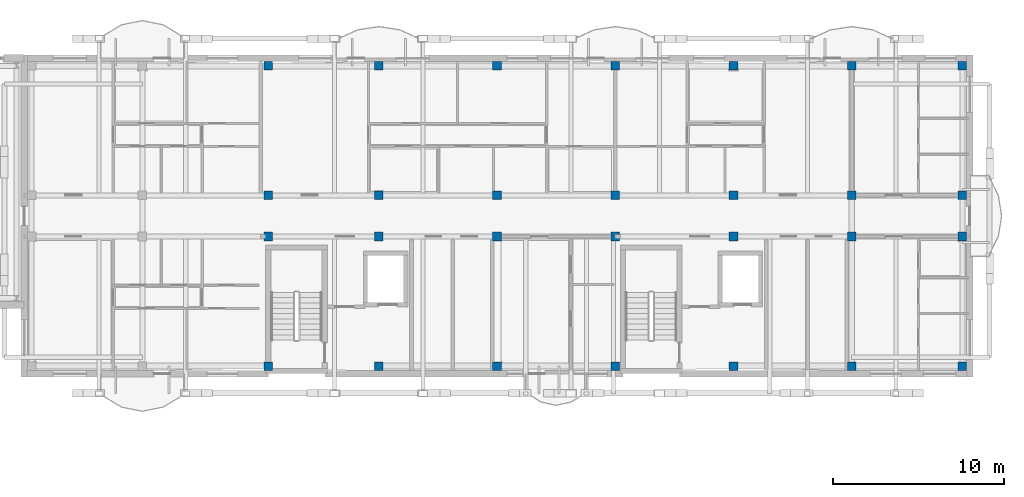
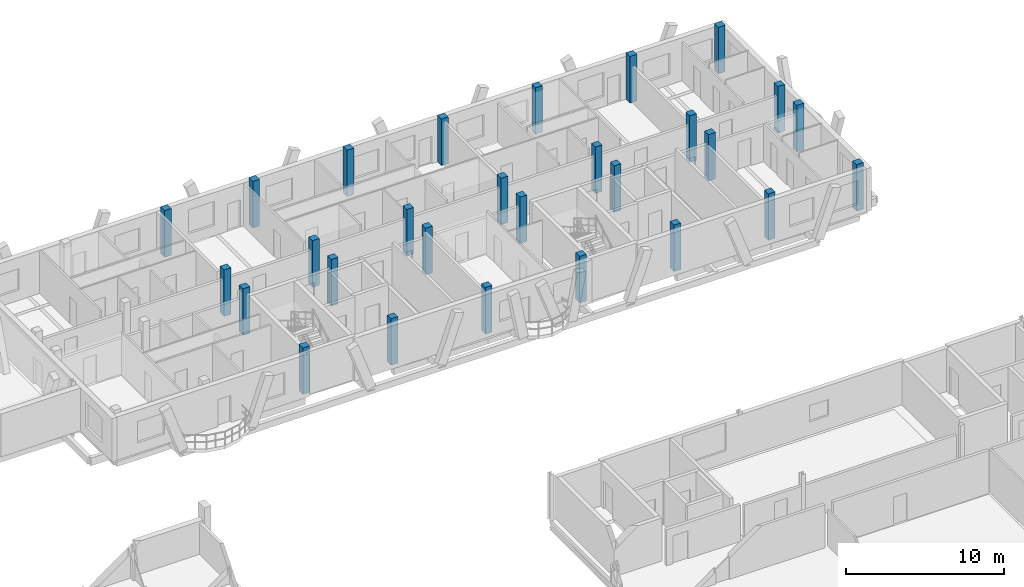
# One storey, part 15 of 189: 28 columns.
"""IFC4 building model written with IfcOpenShell, lengths in metres."""

from ifc_helpers import new_model, si_unit, direction, frame, origin, origin_2d, place, context, subcontext, project, spatial, rectangle, extrude, material, material_profile, profile_set, type_object, element, save


model = new_model("IFC4")

# Units and contexts
model_context = context("Model", 3, precision=1e-05, world=origin(), true_north=direction((0.0, 1.0)))
body_context = subcontext(model_context, "Body", "Model", "MODEL_VIEW")
ifc_project = project(units=[si_unit("LENGTHUNIT", "METRE"), si_unit("AREAUNIT", "SQUARE_METRE"), si_unit("VOLUMEUNIT", "CUBIC_METRE"), si_unit("PLANEANGLEUNIT", "RADIAN"), si_unit("MASSUNIT", "GRAM", prefix="KILO")], contexts=[model_context])

# Site, building, storey
site_placement = place(None, origin())
site = spatial("IfcSite", under=ifc_project, at=site_placement, CompositionType="ELEMENT")
building_placement = place(site_placement, origin())
building = spatial("IfcBuilding", under=site, at=building_placement, Name="Zavelmont Quarter", CompositionType="ELEMENT")
storey_placement = place(building_placement, frame((0.0, 0.0, 4.39990234375)))
storey = spatial("IfcBuildingStorey", under=building, at=storey_placement, Name="L01", CompositionType="ELEMENT", Elevation=4.39990234375)

# Columns
ifc_material = material(Name="Concrete C40/50", Category="concrete")
ifc_material_profile = material_profile(ifc_material, rectangle(XDim=0.5, YDim=0.5, at=origin_2d()), Name="RC500X500")
ifc_profile_set = profile_set([ifc_material_profile], Name="Concrete C40/50")
column_type = type_object("IfcColumnType", Name="CL03", PredefinedType="COLUMN", material=ifc_profile_set)
for number, where, z_axis, x_axis, name in (
    (1, (127.0400390625, 98.0400390625, 0.0), (0.0, 0.0, 1.0), (1.0, 0.0, 0.0), "L01 column CL03 at 19/P"),
    (2, (127.0400390625, 105.60009765625, 0.0), (0.0, 0.0, 1.0), (1.0, 0.0, 0.0), "L01 column CL03 at 19/Q"),
    (3, (127.0400390625, 108.0, 0.0), (0.0, 0.0, 1.0), (1.0, 0.0, 0.0), "L01 column CL03 at 19/R"),
    (4, (127.0400390625, 115.56005859375, 0.0), (0.0, 0.0, 1.0), (1.0, 0.0, 0.0), "L01 column CL03 at 19/S"),
    (5, (133.5, 98.0400390625, 0.0), (0.0, 0.0, 1.0), (1.0, 0.0, 0.0), "L01 column CL03 at 20/P"),
    (6, (133.5, 105.60009765625, 0.0), (0.0, 0.0, 1.0), (1.0, 0.0, 0.0), "L01 column CL03 at 20/Q"),
    (7, (133.5, 108.0, 0.0), (0.0, 0.0, 1.0), (1.0, 0.0, 0.0), "L01 column CL03 at 20/R"),
    (8, (133.5, 115.56005859375, 0.0), (0.0, 0.0, 1.0), (1.0, 0.0, 0.0), "L01 column CL03 at 20/S"),
    (9, (140.39990234375, 98.0400390625, 0.0), (0.0, 0.0, 1.0), (1.0, 0.0, 0.0), "L01 column CL03 at 21/P"),
    (10, (140.39990234375, 105.60009765625, 0.0), (0.0, 0.0, 1.0), (1.0, 0.0, 0.0), "L01 column CL03 at 21/Q"),
    (11, (140.39990234375, 108.0, 0.0), (0.0, 0.0, 1.0), (1.0, 0.0, 0.0), "L01 column CL03 at 21/R"),
    (12, (140.39990234375, 115.56005859375, 0.0), (0.0, 0.0, 1.0), (1.0, 0.0, 0.0), "L01 column CL03 at 21/S"),
    (13, (147.300048828125, 98.0400390625, 0.0), (0.0, 0.0, 1.0), (1.0, 0.0, 0.0), "L01 column CL03 at 22/P"),
    (14, (147.300048828125, 105.60009765625, 0.0), (0.0, 0.0, 1.0), (1.0, 0.0, 0.0), "L01 column CL03 at 22/Q"),
    (15, (147.300048828125, 108.0, 0.0), (0.0, 0.0, 1.0), (1.0, 0.0, 0.0), "L01 column CL03 at 22/R"),
    (16, (147.300048828125, 115.56005859375, 0.0), (0.0, 0.0, 1.0), (1.0, 0.0, 0.0), "L01 column CL03 at 22/S"),
    (17, (154.199951171875, 98.0400390625, 0.0), (0.0, 0.0, 1.0), (1.0, 0.0, 0.0), "L01 column CL03 at 23/P"),
    (18, (154.199951171875, 105.60009765625, 0.0), (0.0, 0.0, 1.0), (1.0, 0.0, 0.0), "L01 column CL03 at 23/Q"),
    (19, (154.199951171875, 108.0, 0.0), (0.0, 0.0, 1.0), (1.0, 0.0, 0.0), "L01 column CL03 at 23/R"),
    (20, (154.199951171875, 115.56005859375, 0.0), (0.0, 0.0, 1.0), (1.0, 0.0, 0.0), "L01 column CL03 at 23/S"),
    (21, (161.10009765625, 98.0400390625, 0.0), (0.0, 0.0, 1.0), (1.0, 0.0, 0.0), "L01 column CL03 at 24/P"),
    (22, (161.10009765625, 105.60009765625, 0.0), (0.0, 0.0, 1.0), (1.0, 0.0, 0.0), "L01 column CL03 at 24/Q"),
    (23, (161.10009765625, 108.0, 0.0), (0.0, 0.0, 1.0), (1.0, 0.0, 0.0), "L01 column CL03 at 24/R"),
    (24, (161.10009765625, 115.56005859375, 0.0), (0.0, 0.0, 1.0), (1.0, 0.0, 0.0), "L01 column CL03 at 24/S"),
    (25, (167.56005859375, 98.0400390625, 0.0), (0.0, 0.0, 1.0), (1.0, 0.0, 0.0), "L01 column CL03 at 25/P"),
    (26, (167.56005859375, 105.60009765625, 0.0), (0.0, 0.0, 1.0), (1.0, 0.0, 0.0), "L01 column CL03 at 25/Q"),
    (27, (167.56005859375, 108.0, 0.0), (0.0, 0.0, 1.0), (1.0, 0.0, 0.0), "L01 column CL03 at 25/R"),
    (28, (167.56005859375, 115.56005859375, 0.0), (0.0, 0.0, 1.0), (1.0, 0.0, 0.0), "L01 column CL03 at 25/S"),
):
    element("IfcColumn", number, at=place(storey_placement, frame(where, z_axis=z_axis, x_axis=x_axis)), inside=storey, type_object=column_type, Name=name, PredefinedType="COLUMN", context=body_context, shape_type="SweptSolid", body=[
        extrude(rectangle(XDim=0.5, YDim=0.5, at=origin_2d()), origin(), (0.0, 0.0, 1.0), 3.60009765625),
    ])

save(model, "model.ifc")
